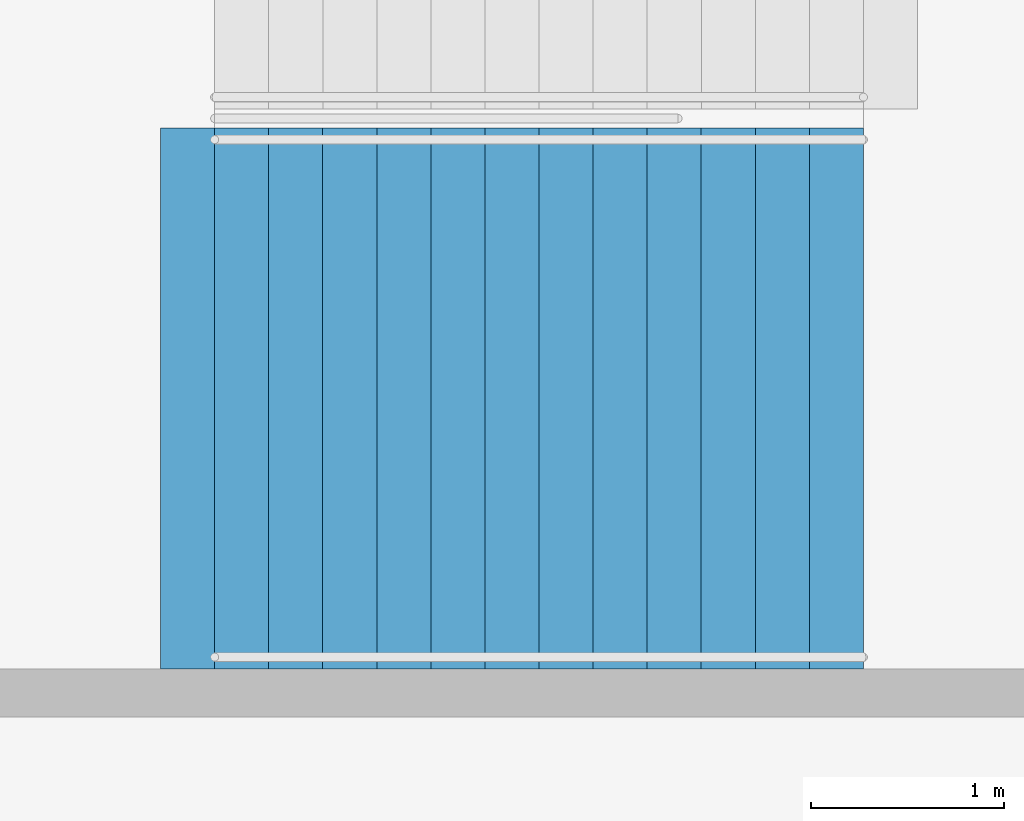
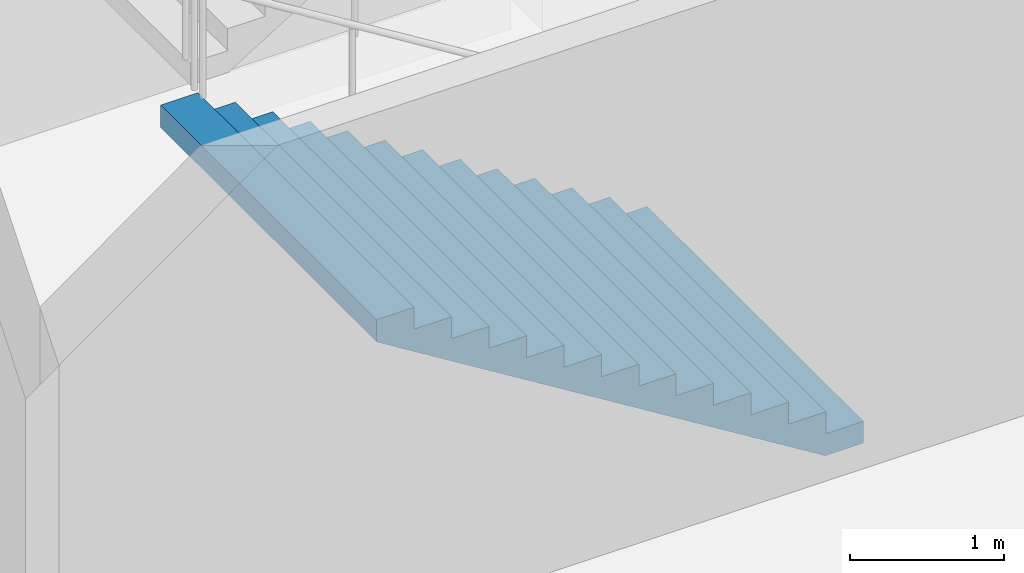
# One storey, part 109 of 175: 1 stair flight, 1 element without a shape of its own.
"""IFC4 building model written with IfcOpenShell, lengths in metres."""

import ifcopenshell
import ifcopenshell.guid

model = None  # the IFC model being written
_history = None  # IfcOwnerHistory: only IFC2X3 demands one
_inside = {}  # id of a spatial element -> (the spatial element, [elements in it])
_under = {}  # id of a project, library or spatial element -> (it, [spatial elements below it])
_declared = {}  # id of a project -> (the project, [libraries it declares])
_typed = {}  # id of a type object -> (the type object, [elements of that type])
_made_of = {}  # id of a material, layer set ... -> (it, [elements and type objects made of it])


def new_model(schema):
    """Start an empty IFC model of exactly this schema.

    Asked for "IFC4X3", IfcOpenShell would pick the latest addendum, in which some entities
    have other attributes; the version numbers below select the first issue.
    IFC2X3 requires an IfcOwnerHistory on every rooted entity: one is made here for all.
    """
    global model, _history
    if schema == "IFC4X3":
        model = ifcopenshell.file(schema_version=(4, 3, 0, 0))
    else:
        model = ifcopenshell.file(schema=schema)
    _inside.clear()
    _under.clear()
    _declared.clear()
    _typed.clear()
    _made_of.clear()
    _history = None
    if model.schema == "IFC2X3":
        org = make("IfcOrganization", Name="unknown")
        user = make(
            "IfcPersonAndOrganization",
            ThePerson=make("IfcPerson", FamilyName="unknown"),
            TheOrganization=org,
        )
        app = make(
            "IfcApplication",
            ApplicationDeveloper=org,
            Version="unknown",
            ApplicationFullName="unknown",
            ApplicationIdentifier="unknown",
        )
        _history = make(
            "IfcOwnerHistory",
            OwningUser=user,
            OwningApplication=app,
            ChangeAction="ADDED",
            CreationDate=0,
        )
    return model


def make(cls, **values):
    """One entity of the class cls with the attributes given. An attribute that is None is left unset."""
    return model.create_entity(
        cls, **{name: value for name, value in values.items() if value is not None}
    )


def rooted(cls, **values):
    """An entity with a GlobalId (a new one), such as an element, a storey or a relation."""
    return make(cls, GlobalId=ifcopenshell.guid.new(), OwnerHistory=_history, **values)


def si_unit(unit_type, name, prefix=None):
    """IfcSIUnit, for example si_unit("LENGTHUNIT", "METRE", prefix="MILLI")."""
    return make("IfcSIUnit", UnitType=unit_type, Prefix=prefix, Name=name)


def assignment(units):
    """IfcUnitAssignment: the units of a project."""
    return None if units is None else make("IfcUnitAssignment", Units=units)


def point(xyz):
    """IfcCartesianPoint."""
    return None if xyz is None else make("IfcCartesianPoint", Coordinates=xyz)


def direction(xyz):
    """IfcDirection."""
    return None if xyz is None else make("IfcDirection", DirectionRatios=xyz)


def frame(location, z_axis=None, x_axis=None):
    """IfcAxis2Placement3D, a coordinate frame: its origin and axes. An axis left out is left unset."""
    return make(
        "IfcAxis2Placement3D",
        Location=point(location),
        Axis=direction(z_axis),
        RefDirection=direction(x_axis),
    )


def origin():
    """The frame at (0, 0, 0) with its axes left unset."""
    return frame((0.0, 0.0, 0.0))


def place(relative_to, where):
    """IfcLocalPlacement: puts the frame where relative to a parent placement (None: the world)."""
    return make(
        "IfcLocalPlacement", PlacementRelTo=relative_to, RelativePlacement=where
    )


def context(
    kind, dimensions, precision=None, world=None, true_north=None, identifier=None
):
    """IfcGeometricRepresentationContext, for example the 3D "Model" context."""
    return make(
        "IfcGeometricRepresentationContext",
        ContextIdentifier=identifier,
        ContextType=kind,
        CoordinateSpaceDimension=dimensions,
        Precision=precision,
        WorldCoordinateSystem=world,
        TrueNorth=true_north,
    )


def subcontext(parent, identifier, kind, view, scale=None):
    """IfcGeometricRepresentationSubContext, for example "Body" below "Model"."""
    return make(
        "IfcGeometricRepresentationSubContext",
        ContextIdentifier=identifier,
        ContextType=kind,
        ParentContext=parent,
        TargetScale=scale,
        TargetView=view,
    )


def project(units=None, contexts=None):
    """IfcProject with its units and contexts."""
    return rooted(
        "IfcProject",
        Name="project",
        RepresentationContexts=contexts,
        UnitsInContext=assignment(units),
    )


def spatial(cls, under=None, at=None, **own):
    """A site, building, storey or space (cls), placed at a placement, below another one or the project."""
    s = rooted(cls, ObjectPlacement=at, **own)
    if under is not None:
        _under.setdefault(under.id(), (under, []))[1].append(s)
    return s


def faces_of(points, faces, orient=None, outer=None):
    """IfcFace entities. A face is a list of loops; a loop is a list of indices into points, from 0.

    orient and outer hold one flag for each loop. By default every Orientation is true, the
    first loop of a face is its IfcFaceOuterBound and the others are IfcFaceBound.
    """
    made = []
    for i, loops in enumerate(faces):
        bounds = []
        for j, loop in enumerate(loops):
            is_outer = j == 0 if outer is None else outer[i][j]
            bounds.append(
                make(
                    "IfcFaceOuterBound" if is_outer else "IfcFaceBound",
                    Bound=make("IfcPolyLoop", Polygon=[points[k] for k in loop]),
                    Orientation=True if orient is None else orient[i][j],
                )
            )
        made.append(make("IfcFace", Bounds=bounds))
    return made


def faceted_brep(points, faces, orient=None, outer=None, voids=None):
    """IfcFacetedBrep: a solid bounded by flat faces; with voids (closed shells), ...WithVoids."""
    shared = [point(p) for p in points]
    hull = make("IfcClosedShell", CfsFaces=faces_of(shared, faces, orient, outer))
    if voids is None:
        return make("IfcFacetedBrep", Outer=hull)
    return make(
        "IfcFacetedBrepWithVoids",
        Outer=hull,
        Voids=[
            make(cls, CfsFaces=faces_of(shared, fs, o, b)) for cls, fs, o, b in voids
        ],
    )


def shape(context_of_items, identifier, shape_type, items):
    """IfcShapeRepresentation: the items that make up one representation, for example the "Body"."""
    return make(
        "IfcShapeRepresentation",
        ContextOfItems=context_of_items,
        RepresentationIdentifier=identifier,
        RepresentationType=shape_type,
        Items=items,
    )


def material(Name=None, Category=None):
    """IfcMaterial."""
    return make("IfcMaterial", Name=Name, Category=Category)


def made_of(thing, what):
    """Note that an element or type object is made of a material, layer set ...; save() writes the relation."""
    if what is not None:
        _made_of.setdefault(what.id(), (what, []))[1].append(thing)
    return thing


def type_object(cls, material=None, **own):
    """A type object (cls), such as IfcWallType, which elements share."""
    return made_of(rooted(cls, **own), material)


def element(
    cls,
    number,
    at=None,
    inside=None,
    cuts=None,
    type_object=None,
    material=None,
    context=None,
    identifier="Body",
    shape_type=None,
    held_by="IfcProductDefinitionShape",
    body=None,
    shapes=None,
    **own,
):
    """One element of the class cls, such as IfcWall. Its Tag is "e" and its number.

    at: its placement. inside: the storey or other place that contains it. cuts: it is an
    opening in that element (IfcRelVoidsElement). A single representation is given by context,
    identifier, shape_type and body (its items); several are given by shapes. held_by: the class
    of the entity that holds the representations. save() writes the other relations.
    """
    e = rooted(cls, Tag="e%d" % number, ObjectPlacement=at, **own)
    if body is not None:
        shapes = [shape(context, identifier, shape_type, body)]
    if shapes is not None:
        e.Representation = make(held_by, Representations=shapes)
    if inside is not None:
        _inside.setdefault(inside.id(), (inside, []))[1].append(e)
    if cuts is not None:
        rooted(
            "IfcRelVoidsElement", RelatingBuildingElement=cuts, RelatedOpeningElement=e
        )
    if type_object is not None:
        _typed.setdefault(type_object.id(), (type_object, []))[1].append(e)
    return made_of(e, material)


def aggregate(whole, parts):
    """IfcRelAggregates: a whole, such as a stair, and the parts it consists of."""
    return rooted("IfcRelAggregates", RelatingObject=whole, RelatedObjects=parts)


def save(model, path):
    """Write the relations noted so far, then the file.

    IfcRelAggregates (storeys below a building ...), IfcRelContainedInSpatialStructure (elements
    in a storey), IfcRelDefinesByType, IfcRelAssociatesMaterial and IfcRelDeclares: one each for
    every whole, place, type object, material and project.
    """
    for whole, parts in _under.values():
        aggregate(whole, parts)
    for where, things in _inside.values():
        rooted(
            "IfcRelContainedInSpatialStructure",
            RelatedElements=things,
            RelatingStructure=where,
        )
    for kind, things in _typed.values():
        rooted("IfcRelDefinesByType", RelatedObjects=things, RelatingType=kind)
    for what, things in _made_of.values():
        rooted("IfcRelAssociatesMaterial", RelatedObjects=things, RelatingMaterial=what)
    for by, libraries in _declared.values():
        rooted("IfcRelDeclares", RelatingContext=by, RelatedDefinitions=libraries)
    model.write(path)


model = new_model("IFC4")

# Units and contexts
model_context = context("Model", 3, precision=1e-05, world=origin(), true_north=direction((0.0, 1.0)))
body_context = subcontext(model_context, "Body", "Model", "MODEL_VIEW")
ifc_project = project(units=[si_unit("LENGTHUNIT", "METRE"), si_unit("AREAUNIT", "SQUARE_METRE"), si_unit("VOLUMEUNIT", "CUBIC_METRE"), si_unit("PLANEANGLEUNIT", "RADIAN"), si_unit("MASSUNIT", "GRAM", prefix="KILO")], contexts=[model_context])

# Site, building, storey
site_placement = place(None, origin())
site = spatial("IfcSite", under=ifc_project, at=site_placement, CompositionType="ELEMENT")
building_placement = place(site_placement, origin())
building = spatial("IfcBuilding", under=site, at=building_placement, Name="Ogive Plaza Stadium", CompositionType="ELEMENT")
storey_placement = place(building_placement, origin())
storey = spatial("IfcBuildingStorey", under=building, at=storey_placement, Name="L00", CompositionType="ELEMENT", Elevation=0.0)

# Stair, stair flight
ifc_material_1 = material(Name="Concrete C40/50", Category="concrete")
stair_type = type_object("IfcStairType", Name="Exit stair", PredefinedType="STRAIGHT_RUN_STAIR", material=ifc_material_1)
stair_placement = place(storey_placement, origin())
stair = element("IfcStair", 1, at=stair_placement, inside=storey, type_object=stair_type, Name="Exit stair ST28B L00 to L01", PredefinedType="STRAIGHT_RUN_STAIR")
ifc_material_2 = material(Name="Concrete C40/50", Category="concrete")
stair_flight_type = type_object("IfcStairFlightType", Name="Exit stair flight", PredefinedType="STRAIGHT", material=ifc_material_2)
stair_flight_placement = place(storey_placement, frame((-76.35009765625, 48.074951171875, 0.0), z_axis=(0.0, 0.0, 1.0), x_axis=(-1.0, 0.0, 0.0)))
stair_flight = element("IfcStairFlight", 2, at=stair_flight_placement, type_object=stair_flight_type, Name="ST28B flight 1", NumberOfRisers=13, NumberOfTreads=12, PredefinedType="STRAIGHT", RiserHeight=0.173076923, TreadLength=0.28, context=body_context, shape_type="Brep", body=[
    faceted_brep([(0.28515625, -1.39990234375, 0.0), (3.639892578125, -1.39990234375, 2.07373046875), (3.639892578125, -1.39990234375, 2.25), (3.360107421875, -1.39990234375, 2.25), (3.360107421875, -1.39990234375, 2.076904296875), (3.080078125, -1.39990234375, 2.076904296875), (3.080078125, -1.39990234375, 1.90380859375), (2.800048828125, -1.39990234375, 1.90380859375), (2.800048828125, -1.39990234375, 1.730712890625), (2.52001953125, -1.39990234375, 1.730712890625), (2.52001953125, -1.39990234375, 1.5576171875), (2.239990234375, -1.39990234375, 1.5576171875), (2.239990234375, -1.39990234375, 1.384521484375), (1.9599609375, -1.39990234375, 1.384521484375), (1.9599609375, -1.39990234375, 1.21142578125), (1.679931640625, -1.39990234375, 1.21142578125), (1.679931640625, -1.39990234375, 1.03857421875), (1.39990234375, -1.39990234375, 1.03857421875), (1.39990234375, -1.39990234375, 0.865478515625), (1.1201171875, -1.39990234375, 0.865478515625), (1.1201171875, -1.39990234375, 0.6923828125), (0.840087890625, -1.39990234375, 0.6923828125), (0.840087890625, -1.39990234375, 0.519287109375), (0.56005859375, -1.39990234375, 0.519287109375), (0.56005859375, -1.39990234375, 0.34619140625), (0.280029296875, -1.39990234375, 0.34619140625), (0.280029296875, -1.39990234375, 0.173095703125), (0.0, -1.39990234375, 0.173095703125), (0.0, -1.39990234375, 0.0), (0.0, 1.39990234375, 0.0), (0.0, 1.39990234375, 0.173095703125), (0.280029296875, 1.39990234375, 0.173095703125), (0.280029296875, 1.39990234375, 0.34619140625), (0.56005859375, 1.39990234375, 0.34619140625), (0.56005859375, 1.39990234375, 0.519287109375), (0.840087890625, 1.39990234375, 0.519287109375), (0.840087890625, 1.39990234375, 0.6923828125), (1.1201171875, 1.39990234375, 0.6923828125), (1.1201171875, 1.39990234375, 0.865478515625), (1.39990234375, 1.39990234375, 0.865478515625), (1.39990234375, 1.39990234375, 1.03857421875), (1.679931640625, 1.39990234375, 1.03857421875), (1.679931640625, 1.39990234375, 1.21142578125), (1.9599609375, 1.39990234375, 1.21142578125), (1.9599609375, 1.39990234375, 1.384521484375), (2.239990234375, 1.39990234375, 1.384521484375), (2.239990234375, 1.39990234375, 1.5576171875), (2.52001953125, 1.39990234375, 1.5576171875), (2.52001953125, 1.39990234375, 1.730712890625), (2.800048828125, 1.39990234375, 1.730712890625), (2.800048828125, 1.39990234375, 1.90380859375), (3.080078125, 1.39990234375, 1.90380859375), (3.080078125, 1.39990234375, 2.076904296875), (3.360107421875, 1.39990234375, 2.076904296875), (3.360107421875, 1.39990234375, 2.25), (3.639892578125, 1.39990234375, 2.25), (3.639892578125, 1.39990234375, 2.07373046875), (0.28515625, 1.39990234375, 0.0), (0.28515625, -1.0888671875, 0.0), (3.639892578125, -1.0888671875, 2.07373046875), (0.28515625, -0.77783203125, 0.0), (3.639892578125, -0.77783203125, 2.07373046875), (0.28515625, -0.466796875, 0.0), (3.639892578125, -0.466796875, 2.07373046875), (0.28515625, -0.155517578125, 0.0), (3.639892578125, -0.155517578125, 2.07373046875), (0.28515625, 0.155517578125, 0.0), (3.639892578125, 0.155517578125, 2.07373046875), (0.28515625, 0.466796875, 0.0), (3.639892578125, 0.466796875, 2.07373046875), (0.28515625, 0.77783203125, 0.0), (3.639892578125, 0.77783203125, 2.07373046875), (0.28515625, 1.0888671875, 0.0), (3.639892578125, 1.0888671875, 2.07373046875), (3.639892578125, -1.0888671875, 2.25), (3.639892578125, -0.77783203125, 2.25), (3.639892578125, -0.466796875, 2.25), (3.639892578125, -0.155517578125, 2.25), (3.639892578125, 0.155517578125, 2.25), (3.639892578125, 0.466796875, 2.25), (3.639892578125, 0.77783203125, 2.25), (3.639892578125, 1.0888671875, 2.25), (3.360107421875, -1.0888671875, 2.25), (3.360107421875, -0.77783203125, 2.25), (3.360107421875, -0.466796875, 2.25), (3.360107421875, -0.155517578125, 2.25), (3.360107421875, 0.155517578125, 2.25), (3.360107421875, 0.466796875, 2.25), (3.360107421875, 0.77783203125, 2.25), (3.360107421875, 1.0888671875, 2.25), (3.360107421875, -1.0888671875, 2.076904296875), (3.360107421875, -0.77783203125, 2.076904296875), (3.360107421875, -0.466796875, 2.076904296875), (3.360107421875, -0.155517578125, 2.076904296875), (3.360107421875, 0.155517578125, 2.076904296875), (3.360107421875, 0.466796875, 2.076904296875), (3.360107421875, 0.77783203125, 2.076904296875), (3.360107421875, 1.0888671875, 2.076904296875), (3.080078125, -1.0888671875, 2.076904296875), (3.080078125, -0.77783203125, 2.076904296875), (3.080078125, -0.466796875, 2.076904296875), (3.080078125, -0.155517578125, 2.076904296875), (3.080078125, 0.155517578125, 2.076904296875), (3.080078125, 0.466796875, 2.076904296875), (3.080078125, 0.77783203125, 2.076904296875), (3.080078125, 1.0888671875, 2.076904296875), (3.080078125, -1.0888671875, 1.90380859375), (3.080078125, -0.77783203125, 1.90380859375), (3.080078125, -0.466796875, 1.90380859375), (3.080078125, -0.155517578125, 1.90380859375), (3.080078125, 0.155517578125, 1.90380859375), (3.080078125, 0.466796875, 1.90380859375), (3.080078125, 0.77783203125, 1.90380859375), (3.080078125, 1.0888671875, 1.90380859375), (2.800048828125, -1.0888671875, 1.90380859375), (2.800048828125, -0.77783203125, 1.90380859375), (2.800048828125, -0.466796875, 1.90380859375), (2.800048828125, -0.155517578125, 1.90380859375), (2.800048828125, 0.155517578125, 1.90380859375), (2.800048828125, 0.466796875, 1.90380859375), (2.800048828125, 0.77783203125, 1.90380859375), (2.800048828125, 1.0888671875, 1.90380859375), (2.800048828125, -1.0888671875, 1.730712890625), (2.800048828125, -0.77783203125, 1.730712890625), (2.800048828125, -0.466796875, 1.730712890625), (2.800048828125, -0.155517578125, 1.730712890625), (2.800048828125, 0.155517578125, 1.730712890625), (2.800048828125, 0.466796875, 1.730712890625), (2.800048828125, 0.77783203125, 1.730712890625), (2.800048828125, 1.0888671875, 1.730712890625), (2.52001953125, -1.0888671875, 1.730712890625), (2.52001953125, -0.77783203125, 1.730712890625), (2.52001953125, -0.466796875, 1.730712890625), (2.52001953125, -0.155517578125, 1.730712890625), (2.52001953125, 0.155517578125, 1.730712890625), (2.52001953125, 0.466796875, 1.730712890625), (2.52001953125, 0.77783203125, 1.730712890625), (2.52001953125, 1.0888671875, 1.730712890625), (2.52001953125, -1.0888671875, 1.5576171875), (2.52001953125, -0.77783203125, 1.5576171875), (2.52001953125, -0.466796875, 1.5576171875), (2.52001953125, -0.155517578125, 1.5576171875), (2.52001953125, 0.155517578125, 1.5576171875), (2.52001953125, 0.466796875, 1.5576171875), (2.52001953125, 0.77783203125, 1.5576171875), (2.52001953125, 1.0888671875, 1.5576171875), (2.239990234375, -1.0888671875, 1.5576171875), (2.239990234375, -0.77783203125, 1.5576171875), (2.239990234375, -0.466796875, 1.5576171875), (2.239990234375, -0.155517578125, 1.5576171875), (2.239990234375, 0.155517578125, 1.5576171875), (2.239990234375, 0.466796875, 1.5576171875), (2.239990234375, 0.77783203125, 1.5576171875), (2.239990234375, 1.0888671875, 1.5576171875), (2.239990234375, -1.0888671875, 1.384521484375), (2.239990234375, -0.77783203125, 1.384521484375), (2.239990234375, -0.466796875, 1.384521484375), (2.239990234375, -0.155517578125, 1.384521484375), (2.239990234375, 0.155517578125, 1.384521484375), (2.239990234375, 0.466796875, 1.384521484375), (2.239990234375, 0.77783203125, 1.384521484375), (2.239990234375, 1.0888671875, 1.384521484375), (1.9599609375, -1.0888671875, 1.384521484375), (1.9599609375, -0.77783203125, 1.384521484375), (1.9599609375, -0.466796875, 1.384521484375), (1.9599609375, -0.155517578125, 1.384521484375), (1.9599609375, 0.155517578125, 1.384521484375), (1.9599609375, 0.466796875, 1.384521484375), (1.9599609375, 0.77783203125, 1.384521484375), (1.9599609375, 1.0888671875, 1.384521484375), (1.9599609375, -1.0888671875, 1.21142578125), (1.9599609375, -0.77783203125, 1.21142578125), (1.9599609375, -0.466796875, 1.21142578125), (1.9599609375, -0.155517578125, 1.21142578125), (1.9599609375, 0.155517578125, 1.21142578125), (1.9599609375, 0.466796875, 1.21142578125), (1.9599609375, 0.77783203125, 1.21142578125), (1.9599609375, 1.0888671875, 1.21142578125), (1.679931640625, -1.0888671875, 1.21142578125), (1.679931640625, -0.77783203125, 1.21142578125), (1.679931640625, -0.466796875, 1.21142578125), (1.679931640625, -0.155517578125, 1.21142578125), (1.679931640625, 0.155517578125, 1.21142578125), (1.679931640625, 0.466796875, 1.21142578125), (1.679931640625, 0.77783203125, 1.21142578125), (1.679931640625, 1.0888671875, 1.21142578125), (1.679931640625, -1.0888671875, 1.03857421875), (1.679931640625, -0.77783203125, 1.03857421875), (1.679931640625, -0.466796875, 1.03857421875), (1.679931640625, -0.155517578125, 1.03857421875), (1.679931640625, 0.155517578125, 1.03857421875), (1.679931640625, 0.466796875, 1.03857421875), (1.679931640625, 0.77783203125, 1.03857421875), (1.679931640625, 1.0888671875, 1.03857421875), (1.39990234375, -1.0888671875, 1.03857421875), (1.39990234375, -0.77783203125, 1.03857421875), (1.39990234375, -0.466796875, 1.03857421875), (1.39990234375, -0.155517578125, 1.03857421875), (1.39990234375, 0.155517578125, 1.03857421875), (1.39990234375, 0.466796875, 1.03857421875), (1.39990234375, 0.77783203125, 1.03857421875), (1.39990234375, 1.0888671875, 1.03857421875), (1.39990234375, -1.0888671875, 0.865478515625), (1.39990234375, -0.77783203125, 0.865478515625), (1.39990234375, -0.466796875, 0.865478515625), (1.39990234375, -0.155517578125, 0.865478515625), (1.39990234375, 0.155517578125, 0.865478515625), (1.39990234375, 0.466796875, 0.865478515625), (1.39990234375, 0.77783203125, 0.865478515625), (1.39990234375, 1.0888671875, 0.865478515625), (1.1201171875, -1.0888671875, 0.865478515625), (1.1201171875, -0.77783203125, 0.865478515625), (1.1201171875, -0.466796875, 0.865478515625), (1.1201171875, -0.155517578125, 0.865478515625), (1.1201171875, 0.155517578125, 0.865478515625), (1.1201171875, 0.466796875, 0.865478515625), (1.1201171875, 0.77783203125, 0.865478515625), (1.1201171875, 1.0888671875, 0.865478515625), (1.1201171875, -1.0888671875, 0.6923828125), (1.1201171875, -0.77783203125, 0.6923828125), (1.1201171875, -0.466796875, 0.6923828125), (1.1201171875, -0.155517578125, 0.6923828125), (1.1201171875, 0.155517578125, 0.6923828125), (1.1201171875, 0.466796875, 0.6923828125), (1.1201171875, 0.77783203125, 0.6923828125), (1.1201171875, 1.0888671875, 0.6923828125), (0.840087890625, -1.0888671875, 0.6923828125), (0.840087890625, -0.77783203125, 0.6923828125), (0.840087890625, -0.466796875, 0.6923828125), (0.840087890625, -0.155517578125, 0.6923828125), (0.840087890625, 0.155517578125, 0.6923828125), (0.840087890625, 0.466796875, 0.6923828125), (0.840087890625, 0.77783203125, 0.6923828125), (0.840087890625, 1.0888671875, 0.6923828125), (0.840087890625, -1.0888671875, 0.519287109375), (0.840087890625, -0.77783203125, 0.519287109375), (0.840087890625, -0.466796875, 0.519287109375), (0.840087890625, -0.155517578125, 0.519287109375), (0.840087890625, 0.155517578125, 0.519287109375), (0.840087890625, 0.466796875, 0.519287109375), (0.840087890625, 0.77783203125, 0.519287109375), (0.840087890625, 1.0888671875, 0.519287109375), (0.56005859375, -1.0888671875, 0.519287109375), (0.56005859375, -0.77783203125, 0.519287109375), (0.56005859375, -0.466796875, 0.519287109375), (0.56005859375, -0.155517578125, 0.519287109375), (0.56005859375, 0.155517578125, 0.519287109375), (0.56005859375, 0.466796875, 0.519287109375), (0.56005859375, 0.77783203125, 0.519287109375), (0.56005859375, 1.0888671875, 0.519287109375), (0.56005859375, -1.0888671875, 0.34619140625), (0.56005859375, -0.77783203125, 0.34619140625), (0.56005859375, -0.466796875, 0.34619140625), (0.56005859375, -0.155517578125, 0.34619140625), (0.56005859375, 0.155517578125, 0.34619140625), (0.56005859375, 0.466796875, 0.34619140625), (0.56005859375, 0.77783203125, 0.34619140625), (0.56005859375, 1.0888671875, 0.34619140625), (0.280029296875, -1.0888671875, 0.34619140625), (0.280029296875, -0.77783203125, 0.34619140625), (0.280029296875, -0.466796875, 0.34619140625), (0.280029296875, -0.155517578125, 0.34619140625), (0.280029296875, 0.155517578125, 0.34619140625), (0.280029296875, 0.466796875, 0.34619140625), (0.280029296875, 0.77783203125, 0.34619140625), (0.280029296875, 1.0888671875, 0.34619140625), (0.280029296875, -1.0888671875, 0.173095703125), (0.280029296875, -0.77783203125, 0.173095703125), (0.280029296875, -0.466796875, 0.173095703125), (0.280029296875, -0.155517578125, 0.173095703125), (0.280029296875, 0.155517578125, 0.173095703125), (0.280029296875, 0.466796875, 0.173095703125), (0.280029296875, 0.77783203125, 0.173095703125), (0.280029296875, 1.0888671875, 0.173095703125), (0.0, -1.0888671875, 0.173095703125), (0.0, -0.77783203125, 0.173095703125), (0.0, -0.466796875, 0.173095703125), (0.0, -0.155517578125, 0.173095703125), (0.0, 0.155517578125, 0.173095703125), (0.0, 0.466796875, 0.173095703125), (0.0, 0.77783203125, 0.173095703125), (0.0, 1.0888671875, 0.173095703125), (0.0, -1.0888671875, 0.0), (0.0, -0.77783203125, 0.0), (0.0, -0.466796875, 0.0), (0.0, -0.155517578125, 0.0), (0.0, 0.155517578125, 0.0), (0.0, 0.466796875, 0.0), (0.0, 0.77783203125, 0.0), (0.0, 1.0888671875, 0.0)], [[[0, 1, 2, 3, 4, 5, 6, 7, 8, 9, 10, 11, 12, 13, 14, 15, 16, 17, 18, 19, 20, 21, 22, 23, 24, 25, 26, 27, 28]], [[29, 30, 31, 32, 33, 34, 35, 36, 37, 38, 39, 40, 41, 42, 43, 44, 45, 46, 47, 48, 49, 50, 51, 52, 53, 54, 55, 56, 57]], [[0, 58, 59, 1]], [[58, 60, 61, 59]], [[60, 62, 63, 61]], [[62, 64, 65, 63]], [[64, 66, 67, 65]], [[66, 68, 69, 67]], [[68, 70, 71, 69]], [[70, 72, 73, 71]], [[72, 57, 56, 73]], [[1, 59, 74, 2]], [[59, 61, 75, 74]], [[61, 63, 76, 75]], [[63, 65, 77, 76]], [[65, 67, 78, 77]], [[67, 69, 79, 78]], [[69, 71, 80, 79]], [[71, 73, 81, 80]], [[73, 56, 55, 81]], [[2, 74, 82, 3]], [[74, 75, 83, 82]], [[75, 76, 84, 83]], [[76, 77, 85, 84]], [[77, 78, 86, 85]], [[78, 79, 87, 86]], [[79, 80, 88, 87]], [[80, 81, 89, 88]], [[81, 55, 54, 89]], [[3, 82, 90, 4]], [[82, 83, 91, 90]], [[83, 84, 92, 91]], [[84, 85, 93, 92]], [[85, 86, 94, 93]], [[86, 87, 95, 94]], [[87, 88, 96, 95]], [[88, 89, 97, 96]], [[89, 54, 53, 97]], [[4, 90, 98, 5]], [[90, 91, 99, 98]], [[91, 92, 100, 99]], [[92, 93, 101, 100]], [[93, 94, 102, 101]], [[94, 95, 103, 102]], [[95, 96, 104, 103]], [[96, 97, 105, 104]], [[97, 53, 52, 105]], [[5, 98, 106, 6]], [[98, 99, 107, 106]], [[99, 100, 108, 107]], [[100, 101, 109, 108]], [[101, 102, 110, 109]], [[102, 103, 111, 110]], [[103, 104, 112, 111]], [[104, 105, 113, 112]], [[105, 52, 51, 113]], [[6, 106, 114, 7]], [[106, 107, 115, 114]], [[107, 108, 116, 115]], [[108, 109, 117, 116]], [[109, 110, 118, 117]], [[110, 111, 119, 118]], [[111, 112, 120, 119]], [[112, 113, 121, 120]], [[113, 51, 50, 121]], [[7, 114, 122, 8]], [[114, 115, 123, 122]], [[115, 116, 124, 123]], [[116, 117, 125, 124]], [[117, 118, 126, 125]], [[118, 119, 127, 126]], [[119, 120, 128, 127]], [[120, 121, 129, 128]], [[121, 50, 49, 129]], [[8, 122, 130, 9]], [[122, 123, 131, 130]], [[123, 124, 132, 131]], [[124, 125, 133, 132]], [[125, 126, 134, 133]], [[126, 127, 135, 134]], [[127, 128, 136, 135]], [[128, 129, 137, 136]], [[129, 49, 48, 137]], [[9, 130, 138, 10]], [[130, 131, 139, 138]], [[131, 132, 140, 139]], [[132, 133, 141, 140]], [[133, 134, 142, 141]], [[134, 135, 143, 142]], [[135, 136, 144, 143]], [[136, 137, 145, 144]], [[137, 48, 47, 145]], [[10, 138, 146, 11]], [[138, 139, 147, 146]], [[139, 140, 148, 147]], [[140, 141, 149, 148]], [[141, 142, 150, 149]], [[142, 143, 151, 150]], [[143, 144, 152, 151]], [[144, 145, 153, 152]], [[145, 47, 46, 153]], [[11, 146, 154, 12]], [[146, 147, 155, 154]], [[147, 148, 156, 155]], [[148, 149, 157, 156]], [[149, 150, 158, 157]], [[150, 151, 159, 158]], [[151, 152, 160, 159]], [[152, 153, 161, 160]], [[153, 46, 45, 161]], [[12, 154, 162, 13]], [[154, 155, 163, 162]], [[155, 156, 164, 163]], [[156, 157, 165, 164]], [[157, 158, 166, 165]], [[158, 159, 167, 166]], [[159, 160, 168, 167]], [[160, 161, 169, 168]], [[161, 45, 44, 169]], [[13, 162, 170, 14]], [[162, 163, 171, 170]], [[163, 164, 172, 171]], [[164, 165, 173, 172]], [[165, 166, 174, 173]], [[166, 167, 175, 174]], [[167, 168, 176, 175]], [[168, 169, 177, 176]], [[169, 44, 43, 177]], [[14, 170, 178, 15]], [[170, 171, 179, 178]], [[171, 172, 180, 179]], [[172, 173, 181, 180]], [[173, 174, 182, 181]], [[174, 175, 183, 182]], [[175, 176, 184, 183]], [[176, 177, 185, 184]], [[177, 43, 42, 185]], [[15, 178, 186, 16]], [[178, 179, 187, 186]], [[179, 180, 188, 187]], [[180, 181, 189, 188]], [[181, 182, 190, 189]], [[182, 183, 191, 190]], [[183, 184, 192, 191]], [[184, 185, 193, 192]], [[185, 42, 41, 193]], [[16, 186, 194, 17]], [[186, 187, 195, 194]], [[187, 188, 196, 195]], [[188, 189, 197, 196]], [[189, 190, 198, 197]], [[190, 191, 199, 198]], [[191, 192, 200, 199]], [[192, 193, 201, 200]], [[193, 41, 40, 201]], [[17, 194, 202, 18]], [[194, 195, 203, 202]], [[195, 196, 204, 203]], [[196, 197, 205, 204]], [[197, 198, 206, 205]], [[198, 199, 207, 206]], [[199, 200, 208, 207]], [[200, 201, 209, 208]], [[201, 40, 39, 209]], [[18, 202, 210, 19]], [[202, 203, 211, 210]], [[203, 204, 212, 211]], [[204, 205, 213, 212]], [[205, 206, 214, 213]], [[206, 207, 215, 214]], [[207, 208, 216, 215]], [[208, 209, 217, 216]], [[209, 39, 38, 217]], [[19, 210, 218, 20]], [[210, 211, 219, 218]], [[211, 212, 220, 219]], [[212, 213, 221, 220]], [[213, 214, 222, 221]], [[214, 215, 223, 222]], [[215, 216, 224, 223]], [[216, 217, 225, 224]], [[217, 38, 37, 225]], [[20, 218, 226, 21]], [[218, 219, 227, 226]], [[219, 220, 228, 227]], [[220, 221, 229, 228]], [[221, 222, 230, 229]], [[222, 223, 231, 230]], [[223, 224, 232, 231]], [[224, 225, 233, 232]], [[225, 37, 36, 233]], [[21, 226, 234, 22]], [[226, 227, 235, 234]], [[227, 228, 236, 235]], [[228, 229, 237, 236]], [[229, 230, 238, 237]], [[230, 231, 239, 238]], [[231, 232, 240, 239]], [[232, 233, 241, 240]], [[233, 36, 35, 241]], [[22, 234, 242, 23]], [[234, 235, 243, 242]], [[235, 236, 244, 243]], [[236, 237, 245, 244]], [[237, 238, 246, 245]], [[238, 239, 247, 246]], [[239, 240, 248, 247]], [[240, 241, 249, 248]], [[241, 35, 34, 249]], [[23, 242, 250, 24]], [[242, 243, 251, 250]], [[243, 244, 252, 251]], [[244, 245, 253, 252]], [[245, 246, 254, 253]], [[246, 247, 255, 254]], [[247, 248, 256, 255]], [[248, 249, 257, 256]], [[249, 34, 33, 257]], [[24, 250, 258, 25]], [[250, 251, 259, 258]], [[251, 252, 260, 259]], [[252, 253, 261, 260]], [[253, 254, 262, 261]], [[254, 255, 263, 262]], [[255, 256, 264, 263]], [[256, 257, 265, 264]], [[257, 33, 32, 265]], [[25, 258, 266, 26]], [[258, 259, 267, 266]], [[259, 260, 268, 267]], [[260, 261, 269, 268]], [[261, 262, 270, 269]], [[262, 263, 271, 270]], [[263, 264, 272, 271]], [[264, 265, 273, 272]], [[265, 32, 31, 273]], [[26, 266, 274, 27]], [[266, 267, 275, 274]], [[267, 268, 276, 275]], [[268, 269, 277, 276]], [[269, 270, 278, 277]], [[270, 271, 279, 278]], [[271, 272, 280, 279]], [[272, 273, 281, 280]], [[273, 31, 30, 281]], [[27, 274, 282, 28]], [[274, 275, 283, 282]], [[275, 276, 284, 283]], [[276, 277, 285, 284]], [[277, 278, 286, 285]], [[278, 279, 287, 286]], [[279, 280, 288, 287]], [[280, 281, 289, 288]], [[281, 30, 29, 289]], [[28, 282, 58, 0]], [[282, 283, 60, 58]], [[283, 284, 62, 60]], [[284, 285, 64, 62]], [[285, 286, 66, 64]], [[286, 287, 68, 66]], [[287, 288, 70, 68]], [[288, 289, 72, 70]], [[289, 29, 57, 72]]]),
])
aggregate(stair, [stair_flight])

save(model, "model.ifc")
